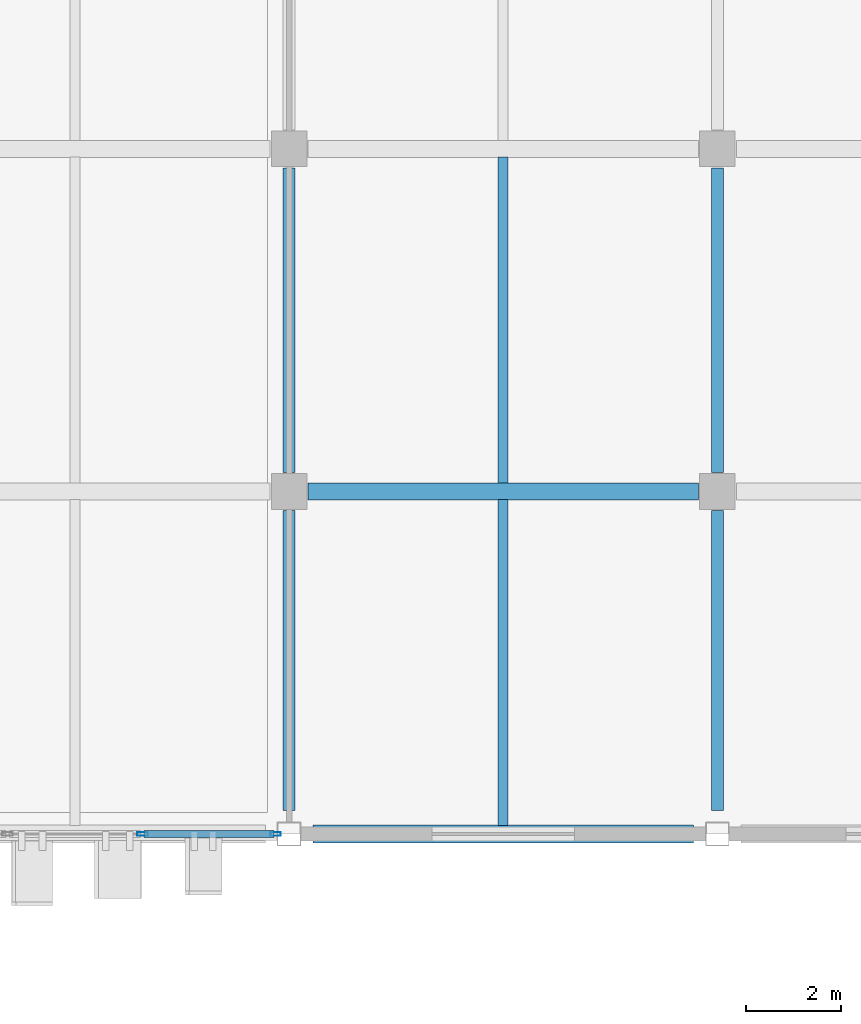
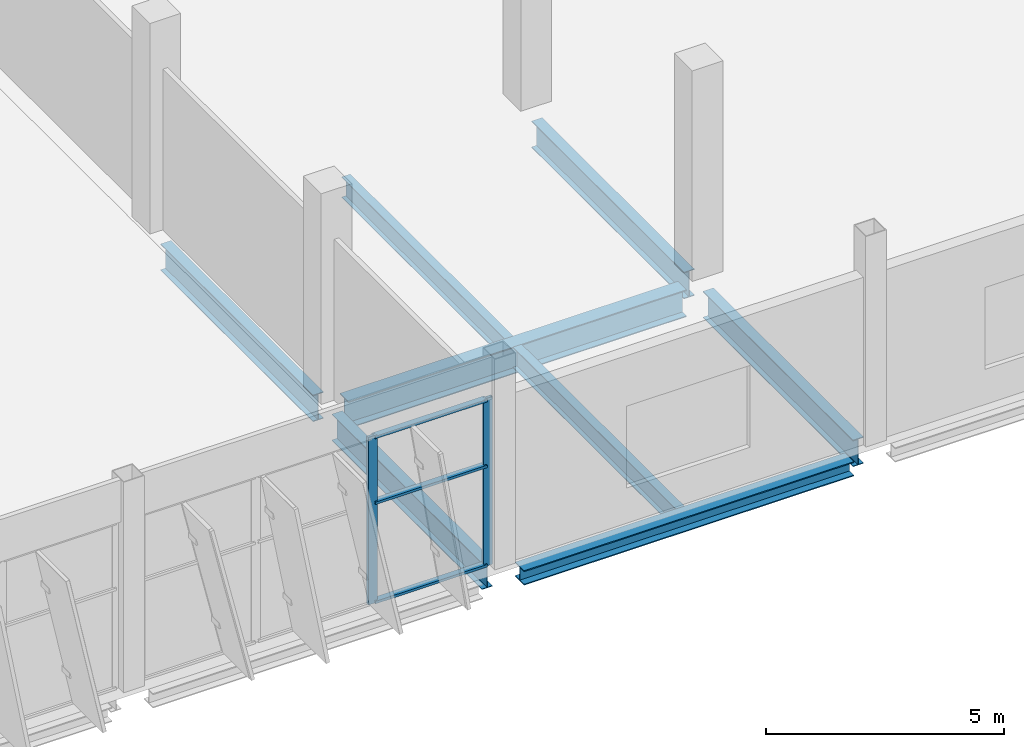
# One storey, part 67 of 137: 8 beams, 5 members, 1 element without a shape of its own.
"""IFC4 building model written with IfcOpenShell, lengths in metres."""

from ifc_helpers import new_model, si_unit, direction, frame, origin, origin_2d, place, context, subcontext, project, spatial, hollow_rectangle, i_section, extrude, material, layer, layer_set, material_profile, profile_set, type_object, element, aggregate, save


model = new_model("IFC4")

# Units and contexts
model_context = context("Model", 3, precision=1e-05, world=origin(), true_north=direction((0.0, 1.0)))
body_context = subcontext(model_context, "Body", "Model", "MODEL_VIEW")
ifc_project = project(units=[si_unit("LENGTHUNIT", "METRE"), si_unit("AREAUNIT", "SQUARE_METRE"), si_unit("VOLUMEUNIT", "CUBIC_METRE"), si_unit("PLANEANGLEUNIT", "RADIAN"), si_unit("MASSUNIT", "GRAM", prefix="KILO")], contexts=[model_context])

# Site, building, storey
site_placement = place(None, origin())
site = spatial("IfcSite", under=ifc_project, at=site_placement, CompositionType="ELEMENT")
building_placement = place(site_placement, origin())
building = spatial("IfcBuilding", under=site, at=building_placement, Name="Celestram Park Convention Centre", CompositionType="ELEMENT")
storey_placement = place(building_placement, origin())
storey = spatial("IfcBuildingStorey", under=building, at=storey_placement, Name="L00", CompositionType="ELEMENT", Elevation=0.0)

# Curtain wall, members
ifc_material_1 = material(Name="Anodised Aluminium Alloy 6063-T6", Category="aluminium")
ifc_layer = layer(ifc_material_1, 0.179931640625)
ifc_layer_set = layer_set([ifc_layer], Name="Anodised Aluminium Alloy 6063-T6")
curtain_wall_type = type_object("IfcCurtainWallType", Name="ARC-CW-850X430", PredefinedType="NOTDEFINED", material=ifc_layer_set)
curtain_wall_placement = place(storey_placement, origin())
curtain_wall = element("IfcCurtainWall", 1, at=curtain_wall_placement, inside=storey, type_object=curtain_wall_type, Name="Unitised curtain wall CU-L00-001", PredefinedType="NOTDEFINED")
ifc_material_profile_1 = material_profile(ifc_material_1, hollow_rectangle(XDim=0.074951171875, YDim=0.219970703125, WallThickness=0.00390625, at=origin_2d()), Name="ALU75X220X4")
ifc_profile_set_1 = profile_set([ifc_material_profile_1], Name="Anodised Aluminium Alloy 6063-T6")
member_type_1 = type_object("IfcMemberType", Name="ARC-CWM-180", PredefinedType="MULLION", material=ifc_profile_set_1)
member_1_placement = place(storey_placement, frame((179.714599609375, 115.199951171875, 0.0), z_axis=(0.0, 0.0, 1.0), x_axis=(0.0, -1.0, 0.0)))
member_1 = element("IfcMember", 2, at=member_1_placement, type_object=member_type_1, Name="CW-85X43 mullion 1", PredefinedType="MULLION", context=body_context, shape_type="SweptSolid", body=[
    extrude(hollow_rectangle(XDim=0.074951171875, YDim=0.219970703125, WallThickness=0.00390625, at=origin_2d()), origin(), (0.0, 0.0, 1.0), 4.297119140625),
])
member_2_placement = place(storey_placement, frame((176.917236328125, 115.199951171875, 0.0), z_axis=(0.0, 0.0, 1.0), x_axis=(0.0, -1.0, 0.0)))
member_2 = element("IfcMember", 3, at=member_2_placement, type_object=member_type_1, Name="CW-85X43 mullion 2", PredefinedType="MULLION", context=body_context, shape_type="SweptSolid", body=[
    extrude(hollow_rectangle(XDim=0.074951171875, YDim=0.219970703125, WallThickness=0.00390625, at=origin_2d()), origin(), (0.0, 0.0, 1.0), 4.297119140625),
])
ifc_material_profile_2 = material_profile(ifc_material_1, hollow_rectangle(XDim=0.14990234375, YDim=0.06494140625, WallThickness=0.0029296875, at=origin_2d()), Name="ALU150X65X3")
ifc_profile_set_2 = profile_set([ifc_material_profile_2], Name="Anodised Aluminium Alloy 6063-T6")
member_type_2 = type_object("IfcMemberType", Name="ARC-CWT-150", PredefinedType="USERDEFINED", material=ifc_profile_set_2)
member_3_placement = place(storey_placement, frame((179.677001953125, 115.199951171875, 0.032470703125), z_axis=(-1.0, 0.0, 0.0), x_axis=(0.0, -1.0, 0.0)))
member_3 = element("IfcMember", 4, at=member_3_placement, type_object=member_type_2, Name="CW-85X43 transom 1.1", ObjectType="TRANSOM", PredefinedType="USERDEFINED", context=body_context, shape_type="SweptSolid", body=[
    extrude(hollow_rectangle(XDim=0.14990234375, YDim=0.06494140625, WallThickness=0.0029296875, at=origin_2d()), origin(), (0.0, 0.0, 1.0), 2.72216796875),
])
member_4_placement = place(storey_placement, frame((179.677001953125, 115.199951171875, 2.577880859375), z_axis=(-1.0, 0.0, 0.0), x_axis=(0.0, -1.0, 0.0)))
member_4 = element("IfcMember", 5, at=member_4_placement, type_object=member_type_2, Name="CW-85X43 transom 1.2", ObjectType="TRANSOM", PredefinedType="USERDEFINED", context=body_context, shape_type="SweptSolid", body=[
    extrude(hollow_rectangle(XDim=0.14990234375, YDim=0.06494140625, WallThickness=0.0029296875, at=origin_2d()), origin(), (0.0, 0.0, 1.0), 2.72216796875),
])
member_5_placement = place(storey_placement, frame((179.677001953125, 115.199951171875, 4.264404296875), z_axis=(-1.0, 0.0, 0.0), x_axis=(0.0, -1.0, 0.0)))
member_5 = element("IfcMember", 6, at=member_5_placement, type_object=member_type_2, Name="CW-85X43 transom 1.3", ObjectType="TRANSOM", PredefinedType="USERDEFINED", context=body_context, shape_type="SweptSolid", body=[
    extrude(hollow_rectangle(XDim=0.14990234375, YDim=0.06494140625, WallThickness=0.0029296875, at=origin_2d()), origin(), (0.0, 0.0, 1.0), 2.72216796875),
])
aggregate(curtain_wall, [member_1, member_2, member_3, member_4, member_5])

# Beams
ifc_material_2 = material(Name="Steel ASTM A992 Grade 50", Category="steel")
ifc_material_profile_3 = material_profile(ifc_material_2, i_section(OverallWidth=0.35595703125, OverallDepth=0.696044921875, WebThickness=0.015380859375, FlangeThickness=0.02490234375, at=origin_2d()), Name="W27X146")
ifc_profile_set_3 = profile_set([ifc_material_profile_3], Name="Steel ASTM A992 Grade 50")
beam_type_1 = type_object("IfcBeamType", Name="STR-BM-W27X146", PredefinedType="BEAM", material=ifc_profile_set_3)
beam_1_placement = place(storey_placement, frame((180.39794921875, 122.39990234375, -0.66796875), z_axis=(1.0, 0.0, 0.0), x_axis=(0.0, 1.0, 0.0)))
element("IfcBeam", 7, at=beam_1_placement, inside=storey, type_object=beam_type_1, Name="Primary X-girder BG-L00-0782", PredefinedType="BEAM", context=body_context, shape_type="SweptSolid", body=[
    extrude(i_section(OverallWidth=0.35595703125, OverallDepth=0.696044921875, WebThickness=0.015380859375, FlangeThickness=0.02490234375, at=origin_2d()), origin(), (0.0, 0.0, 1.0), 8.2041015625),
])
ifc_material_profile_4 = material_profile(ifc_material_2, i_section(OverallWidth=0.25390625, OverallDepth=0.68310546875, WebThickness=0.012451171875, FlangeThickness=0.01904296875, at=origin_2d()), Name="W27X94")
ifc_profile_set_4 = profile_set([ifc_material_profile_4], Name="Steel ASTM A992 Grade 50")
beam_type_2 = type_object("IfcBeamType", Name="STR-BM-W27X94", PredefinedType="BEAM", material=ifc_profile_set_4)
beam_2_placement = place(storey_placement, frame((180.0, 115.697998046875, -0.66162109375), z_axis=(0.0, 1.0, 0.0), x_axis=(-1.0, 0.0, 0.0)))
element("IfcBeam", 8, at=beam_2_placement, inside=storey, type_object=beam_type_2, Name="Primary Y-girder BG-L00-0781", PredefinedType="BEAM", context=body_context, shape_type="SweptSolid", body=[
    extrude(i_section(OverallWidth=0.25390625, OverallDepth=0.68310546875, WebThickness=0.012451171875, FlangeThickness=0.01904296875, at=origin_2d()), origin(), (0.0, 0.0, 1.0), 6.303955078125),
])
beam_3_placement = place(storey_placement, frame((180.0, 122.798095703125, -0.66162109375), z_axis=(0.0, 1.0, 0.0), x_axis=(-1.0, 0.0, 0.0)))
element("IfcBeam", 9, at=beam_3_placement, inside=storey, type_object=beam_type_2, Name="Primary Y-girder BG-L00-0783", PredefinedType="BEAM", context=body_context, shape_type="SweptSolid", body=[
    extrude(i_section(OverallWidth=0.25390625, OverallDepth=0.68310546875, WebThickness=0.012451171875, FlangeThickness=0.01904296875, at=origin_2d()), origin(), (0.0, 0.0, 1.0), 6.40380859375),
])
beam_4_placement = place(storey_placement, frame((189.0, 115.697998046875, -0.66162109375), z_axis=(0.0, 1.0, 0.0), x_axis=(-1.0, 0.0, 0.0)))
element("IfcBeam", 10, at=beam_4_placement, inside=storey, type_object=beam_type_2, Name="Primary Y-girder BG-L00-0807", PredefinedType="BEAM", context=body_context, shape_type="SweptSolid", body=[
    extrude(i_section(OverallWidth=0.25390625, OverallDepth=0.68310546875, WebThickness=0.012451171875, FlangeThickness=0.01904296875, at=origin_2d()), origin(), (0.0, 0.0, 1.0), 6.303955078125),
])
beam_5_placement = place(storey_placement, frame((189.0, 122.798095703125, -0.66162109375), z_axis=(0.0, 1.0, 0.0), x_axis=(-1.0, 0.0, 0.0)))
element("IfcBeam", 11, at=beam_5_placement, inside=storey, type_object=beam_type_2, Name="Primary Y-girder BG-L00-0809", PredefinedType="BEAM", context=body_context, shape_type="SweptSolid", body=[
    extrude(i_section(OverallWidth=0.25390625, OverallDepth=0.68310546875, WebThickness=0.012451171875, FlangeThickness=0.01904296875, at=origin_2d()), origin(), (0.0, 0.0, 1.0), 6.40380859375),
])
ifc_material_profile_5 = material_profile(ifc_material_2, i_section(OverallWidth=0.2099609375, OverallDepth=0.532958984375, WebThickness=0.01025390625, FlangeThickness=0.015625, at=origin_2d()), Name="W21X62")
ifc_profile_set_5 = profile_set([ifc_material_profile_5], Name="Steel ASTM A992 Grade 50")
beam_type_3 = type_object("IfcBeamType", Name="STR-JST-W21X62", PredefinedType="JOIST", material=ifc_profile_set_5)
beam_6_placement = place(storey_placement, frame((184.5, 115.382080078125, -0.58642578125), z_axis=(0.0, 1.0, 0.0), x_axis=(-1.0, 0.0, 0.0)))
element("IfcBeam", 12, at=beam_6_placement, inside=storey, type_object=beam_type_3, Name="Secondary composite joist BG-L00-1213", PredefinedType="JOIST", context=body_context, shape_type="SweptSolid", body=[
    extrude(i_section(OverallWidth=0.2099609375, OverallDepth=0.532958984375, WebThickness=0.01025390625, FlangeThickness=0.015625, at=origin_2d()), origin(), (0.0, 0.0, 1.0), 6.843994140625),
])
beam_7_placement = place(storey_placement, frame((184.5, 122.573974609375, -0.58642578125), z_axis=(0.0, 1.0, 0.0), x_axis=(-1.0, 0.0, 0.0)))
element("IfcBeam", 13, at=beam_7_placement, inside=storey, type_object=beam_type_3, Name="Secondary composite joist BG-L00-1214", PredefinedType="JOIST", context=body_context, shape_type="SweptSolid", body=[
    extrude(i_section(OverallWidth=0.2099609375, OverallDepth=0.532958984375, WebThickness=0.01025390625, FlangeThickness=0.015625, at=origin_2d()), origin(), (0.0, 0.0, 1.0), 6.85205078125),
])
ifc_material_profile_6 = material_profile(ifc_material_2, i_section(OverallWidth=0.373046875, OverallDepth=0.373046875, WebThickness=0.016357421875, FlangeThickness=0.026123046875, at=origin_2d()), Name="W14X132")
ifc_profile_set_6 = profile_set([ifc_material_profile_6], Name="Steel ASTM A992 Grade 50")
beam_type_4 = type_object("IfcBeamType", Name="STR-SPN-W14X132", PredefinedType="SPANDREL", material=ifc_profile_set_6)
beam_8_placement = place(storey_placement, frame((180.498046875, 115.199951171875, -0.506591796875), z_axis=(1.0, 0.0, 0.0), x_axis=(0.0, 1.0, 0.0)))
element("IfcBeam", 14, at=beam_8_placement, inside=storey, type_object=beam_type_4, Name="Primary X-girder BG-L00-0780", PredefinedType="SPANDREL", context=body_context, shape_type="SweptSolid", body=[
    extrude(i_section(OverallWidth=0.373046875, OverallDepth=0.373046875, WebThickness=0.016357421875, FlangeThickness=0.026123046875, at=origin_2d()), origin(), (0.0, 0.0, 1.0), 8.00390625),
])

save(model, "model.ifc")
